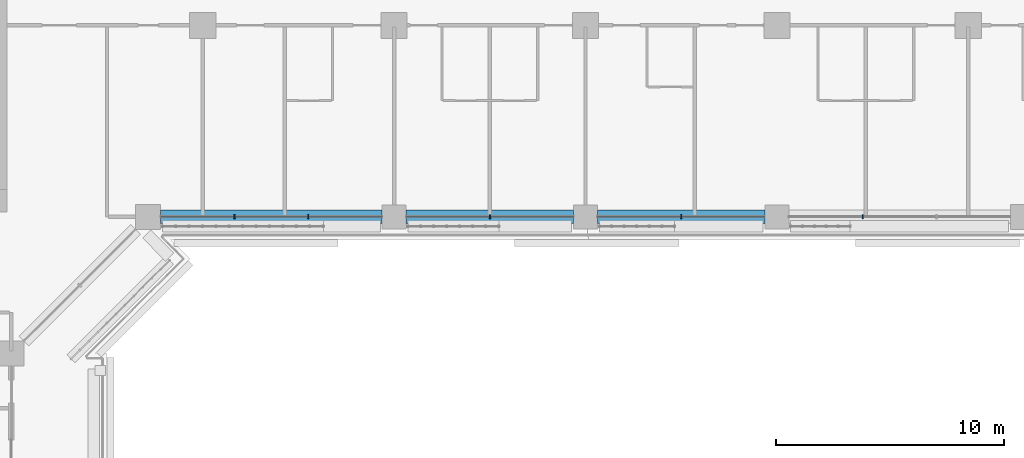
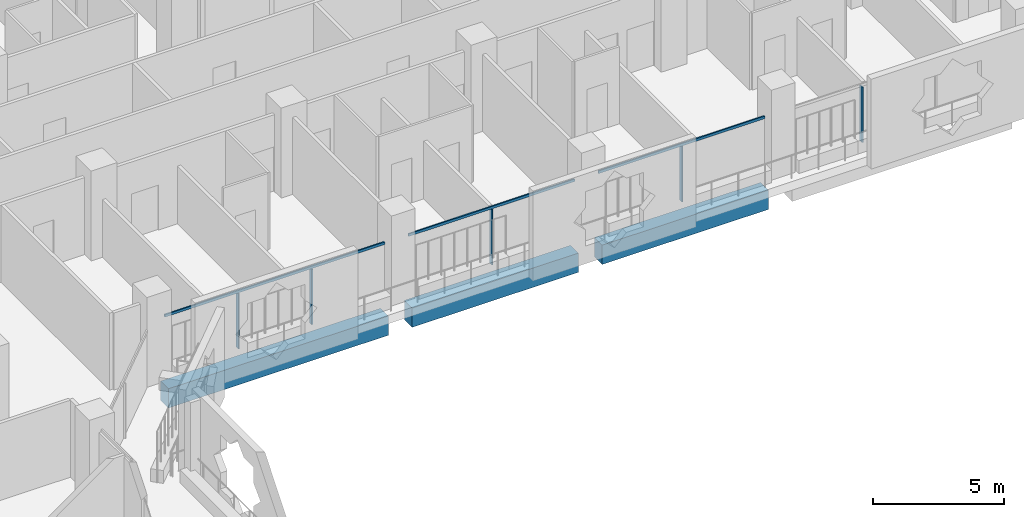
# One storey, part 6 of 25: 8 members, 3 beams, 1 element without a shape of its own.
"""IFC4 building model written with IfcOpenShell, lengths in metres."""

from ifc_helpers import new_model, si_unit, direction, frame, origin, origin_2d, place, context, subcontext, project, spatial, rectangle, extrude, material, layer, layer_set, material_profile, profile_set, type_object, element, aggregate, save


model = new_model("IFC4")

# Units and contexts
model_context = context("Model", 3, precision=1e-05, world=origin(), true_north=direction((0.0, 1.0)))
body_context = subcontext(model_context, "Body", "Model", "MODEL_VIEW")
ifc_project = project(units=[si_unit("LENGTHUNIT", "METRE"), si_unit("AREAUNIT", "SQUARE_METRE"), si_unit("VOLUMEUNIT", "CUBIC_METRE"), si_unit("PLANEANGLEUNIT", "RADIAN"), si_unit("MASSUNIT", "GRAM", prefix="KILO")], contexts=[model_context])

# Site, building, storey
site_placement = place(None, origin())
site = spatial("IfcSite", under=ifc_project, at=site_placement, CompositionType="ELEMENT")
building_placement = place(site_placement, origin())
building = spatial("IfcBuilding", under=site, at=building_placement, Name="Kawkab Arch Medical Tower", CompositionType="ELEMENT")
storey_placement = place(building_placement, frame((0.0, 0.0, 136.60009765625)))
storey = spatial("IfcBuildingStorey", under=building, at=storey_placement, Name="L31", CompositionType="ELEMENT", Elevation=136.60009765625)

# Curtain wall, members
ifc_material_1 = material(Name="Bronze anodised aluminium curtain wall frame", Category="aluminium")
ifc_layer = layer(ifc_material_1, 0.159912109375)
ifc_layer_set = layer_set([ifc_layer], Name="Bronze anodised aluminium curtain wall frame")
curtain_wall_type = type_object("IfcCurtainWallType", Name="CW1 ward curtain wall", PredefinedType="NOTDEFINED", material=ifc_layer_set)
curtain_wall_placement = place(storey_placement, origin())
curtain_wall = element("IfcCurtainWall", 1, at=curtain_wall_placement, inside=storey, type_object=curtain_wall_type, Name="CW1 Ward curtain wall R07", PredefinedType="NOTDEFINED")
ifc_material_2 = material(Name="Bronze anodised aluminium curtain wall frame", Category="aluminium")
ifc_material_profile_1 = material_profile(ifc_material_2, rectangle(XDim=0.179931640625, YDim=0.06005859375, at=origin_2d()), Name="AL 60x180")
ifc_profile_set_1 = profile_set([ifc_material_profile_1], Name="Bronze anodised aluminium curtain wall frame")
member_type_1 = type_object("IfcMemberType", Name="CW1 mullion 60 x 180", PredefinedType="MULLION", material=ifc_profile_set_1)
member_1_placement = place(storey_placement, frame((34.99169921875, -25.199951171875, 0.0), z_axis=(0.0, 0.0, 1.0), x_axis=(0.0, 1.0, 0.0)))
member_1 = element("IfcMember", 2, at=member_1_placement, type_object=member_type_1, Name="CW1 mullion 1.1", PredefinedType="MULLION", context=body_context, shape_type="SweptSolid", body=[
    extrude(rectangle(XDim=0.179931640625, YDim=0.06005859375, at=origin_2d()), origin(), (0.0, 0.0, 1.0), 2.579833984375),
])
member_2_placement = place(storey_placement, frame((38.2333984375, -25.199951171875, 0.0), z_axis=(0.0, 0.0, 1.0), x_axis=(0.0, 1.0, 0.0)))
member_2 = element("IfcMember", 3, at=member_2_placement, type_object=member_type_1, Name="CW1 mullion 1.2", PredefinedType="MULLION", context=body_context, shape_type="SweptSolid", body=[
    extrude(rectangle(XDim=0.179931640625, YDim=0.06005859375, at=origin_2d()), origin(), (0.0, 0.0, 1.0), 2.579833984375),
])
member_3_placement = place(storey_placement, frame((46.199951171875, -25.199951171875, 0.0), z_axis=(0.0, 0.0, 1.0), x_axis=(0.0, 1.0, 0.0)))
member_3 = element("IfcMember", 4, at=member_3_placement, type_object=member_type_1, Name="CW1 mullion 2.1", PredefinedType="MULLION", context=body_context, shape_type="SweptSolid", body=[
    extrude(rectangle(XDim=0.179931640625, YDim=0.06005859375, at=origin_2d()), origin(), (0.0, 0.0, 1.0), 2.579833984375),
])
member_4_placement = place(storey_placement, frame((54.60009765625, -25.199951171875, 0.0), z_axis=(0.0, 0.0, 1.0), x_axis=(0.0, 1.0, 0.0)))
member_4 = element("IfcMember", 5, at=member_4_placement, type_object=member_type_1, Name="CW1 mullion 3.1", PredefinedType="MULLION", context=body_context, shape_type="SweptSolid", body=[
    extrude(rectangle(XDim=0.179931640625, YDim=0.06005859375, at=origin_2d()), origin(), (0.0, 0.0, 1.0), 2.579833984375),
])
member_5_placement = place(storey_placement, frame((62.566650390625, -25.199951171875, 0.0), z_axis=(0.0, 0.0, 1.0), x_axis=(0.0, 1.0, 0.0)))
member_5 = element("IfcMember", 6, at=member_5_placement, type_object=member_type_1, Name="CW1 mullion 4.1", PredefinedType="MULLION", context=body_context, shape_type="SweptSolid", body=[
    extrude(rectangle(XDim=0.179931640625, YDim=0.06005859375, at=origin_2d()), origin(), (0.0, 0.0, 1.0), 2.579833984375),
])
ifc_material_3 = material(Name="Bronze anodised aluminium curtain wall frame", Category="aluminium")
ifc_material_profile_2 = material_profile(ifc_material_3, rectangle(XDim=0.06005859375, YDim=0.1201171875, at=origin_2d()), Name="AL 60x120")
ifc_profile_set_2 = profile_set([ifc_material_profile_2], Name="Bronze anodised aluminium curtain wall frame")
member_type_2 = type_object("IfcMemberType", Name="CW1 transom 120 x 60", PredefinedType="USERDEFINED", material=ifc_profile_set_2)
member_6_placement = place(storey_placement, frame((31.75, -25.199951171875, 2.639892578125), z_axis=(1.0, 0.0, 0.0), x_axis=(0.0, 1.0, 0.0)))
member_6 = element("IfcMember", 7, at=member_6_placement, type_object=member_type_2, Name="CW1 transom 1", ObjectType="TRANSOM", PredefinedType="USERDEFINED", context=body_context, shape_type="SweptSolid", body=[
    extrude(rectangle(XDim=0.06005859375, YDim=0.1201171875, at=origin_2d()), origin(), (0.0, 0.0, 1.0), 9.72509765625),
])
member_7_placement = place(storey_placement, frame((42.52490234375, -25.199951171875, 2.639892578125), z_axis=(1.0, 0.0, 0.0), x_axis=(0.0, 1.0, 0.0)))
member_7 = element("IfcMember", 8, at=member_7_placement, type_object=member_type_2, Name="CW1 transom 2", ObjectType="TRANSOM", PredefinedType="USERDEFINED", context=body_context, shape_type="SweptSolid", body=[
    extrude(rectangle(XDim=0.06005859375, YDim=0.1201171875, at=origin_2d()), origin(), (0.0, 0.0, 1.0), 7.35009765625),
])
member_8_placement = place(storey_placement, frame((50.925048828125, -25.199951171875, 2.639892578125), z_axis=(1.0, 0.0, 0.0), x_axis=(0.0, 1.0, 0.0)))
member_8 = element("IfcMember", 9, at=member_8_placement, type_object=member_type_2, Name="CW1 transom 3", ObjectType="TRANSOM", PredefinedType="USERDEFINED", context=body_context, shape_type="SweptSolid", body=[
    extrude(rectangle(XDim=0.06005859375, YDim=0.1201171875, at=origin_2d()), origin(), (0.0, 0.0, 1.0), 7.349853515625),
])
aggregate(curtain_wall, [member_6, member_1, member_2, member_7, member_3, member_8, member_4, member_5])

# Beams
ifc_material_4 = material(Name="Concrete C55/67", Category="concrete")
ifc_material_profile_3 = material_profile(ifc_material_4, rectangle(XDim=0.60009765625, YDim=0.89990234375, at=origin_2d()), Name="RC 600x900")
ifc_profile_set_3 = profile_set([ifc_material_profile_3], Name="Concrete C55/67")
beam_type = type_object("IfcBeamType", Name="RC 600x900 beam C55/67", PredefinedType="BEAM", material=ifc_profile_set_3)
beam_1_placement = place(storey_placement, frame((58.27490234375, -25.199951171875, -1.050048828125), z_axis=(-1.0, 0.0, 0.0), x_axis=(0.0, -1.0, 0.0)))
element("IfcBeam", 10, at=beam_1_placement, inside=storey, type_object=beam_type, Name="Overhang edge beam L31-03", PredefinedType="BEAM", context=body_context, shape_type="SweptSolid", body=[
    extrude(rectangle(XDim=0.60009765625, YDim=0.89990234375, at=origin_2d()), origin(), (0.0, 0.0, 1.0), 7.349853515625),
])
beam_2_placement = place(storey_placement, frame((49.875, -25.199951171875, -1.050048828125), z_axis=(-1.0, 0.0, 0.0), x_axis=(0.0, -1.0, 0.0)))
element("IfcBeam", 11, at=beam_2_placement, inside=storey, type_object=beam_type, Name="Overhang edge beam L31-04", PredefinedType="BEAM", context=body_context, shape_type="SweptSolid", body=[
    extrude(rectangle(XDim=0.60009765625, YDim=0.89990234375, at=origin_2d()), origin(), (0.0, 0.0, 1.0), 7.35009765625),
])
beam_3_placement = place(storey_placement, frame((41.47509765625, -25.199951171875, -1.050048828125), z_axis=(-1.0, 0.0, 0.0), x_axis=(0.0, -1.0, 0.0)))
element("IfcBeam", 12, at=beam_3_placement, inside=storey, type_object=beam_type, Name="Overhang edge beam L31-05", PredefinedType="BEAM", context=body_context, shape_type="SweptSolid", body=[
    extrude(rectangle(XDim=0.60009765625, YDim=0.89990234375, at=origin_2d()), origin(), (0.0, 0.0, 1.0), 9.72509765625),
])

save(model, "model.ifc")
